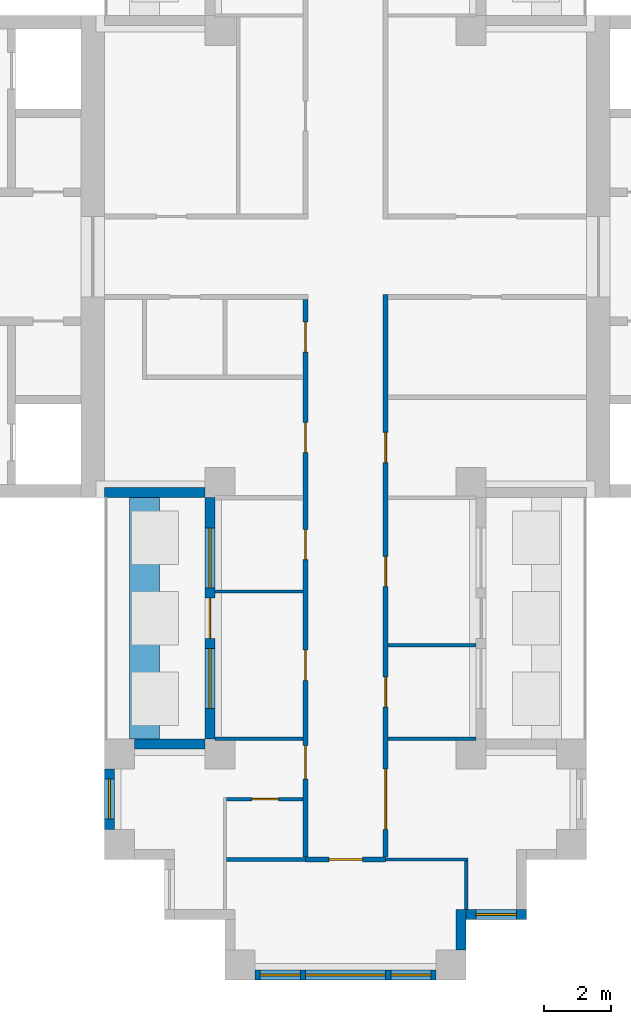
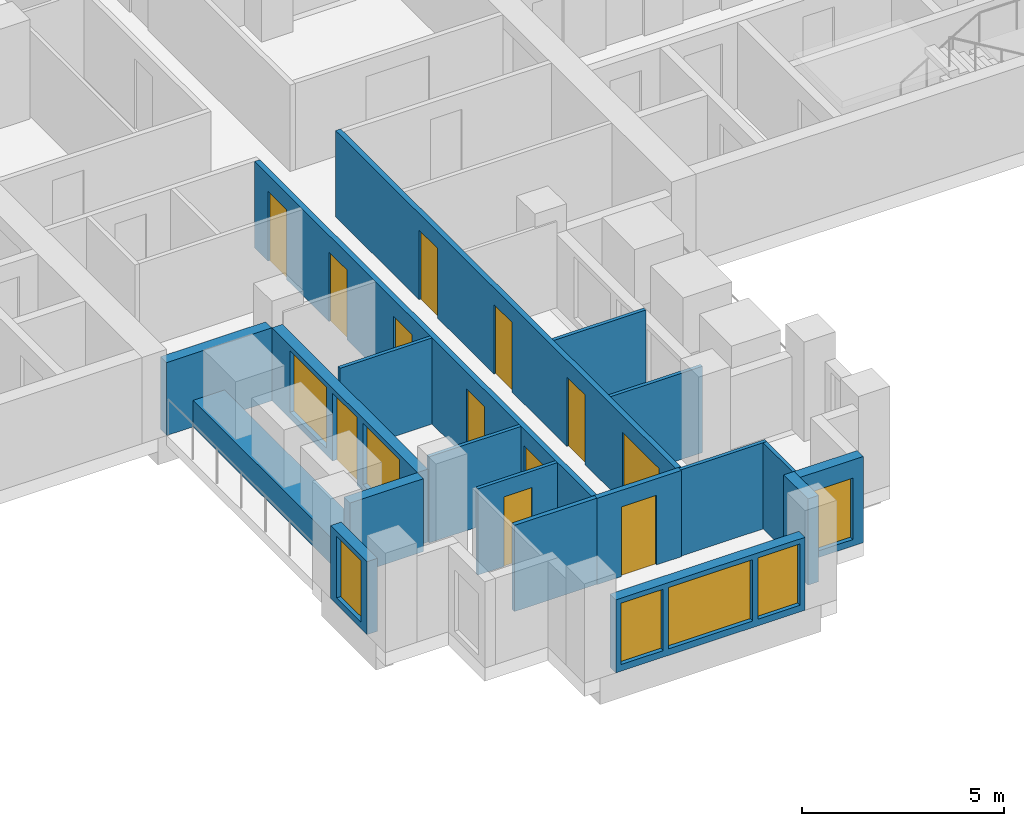
# One storey, part 4 of 11: 19 walls, 12 doors, 7 windows, 19 openings.
"""IFC4 building model written with IfcOpenShell, lengths in metres."""

from ifc_helpers import new_model, si_unit, direction, frame, frame_2d, origin, place, context, subcontext, project, spatial, rectangle, extrude, material, layer, layer_set, type_object, element, fill, save


model = new_model("IFC4")

# Units and contexts
model_context = context("Model", 3, precision=1e-05, world=origin(), true_north=direction((0.0, 1.0)))
body_context = subcontext(model_context, "Body", "Model", "MODEL_VIEW")
ifc_project = project(units=[si_unit("LENGTHUNIT", "METRE"), si_unit("AREAUNIT", "SQUARE_METRE"), si_unit("VOLUMEUNIT", "CUBIC_METRE"), si_unit("PLANEANGLEUNIT", "RADIAN"), si_unit("MASSUNIT", "GRAM", prefix="KILO")], contexts=[model_context])

# Site, building, storey
site_placement = place(None, origin())
site = spatial("IfcSite", under=ifc_project, at=site_placement, CompositionType="ELEMENT")
building_placement = place(site_placement, origin())
building = spatial("IfcBuilding", under=site, at=building_placement, Name="Fustian Cross Tower", CompositionType="ELEMENT")
storey_placement = place(building_placement, frame((0.0, 0.0, 176.699951171875)))
storey = spatial("IfcBuildingStorey", under=building, at=storey_placement, Name="L55", CompositionType="ELEMENT", Elevation=176.699951171875)

# Wall, openings, doors
ifc_material_1 = material(Name="Plasterboard on steel stud", Category="steel")
ifc_layer_1 = layer(ifc_material_1, 0.14990234375)
ifc_layer_set_1 = layer_set([ifc_layer_1], Name="Plasterboard on steel stud")
wall_type_1 = type_object("IfcWallType", Name="COMPARTMENT WALL 150 EI 60", PredefinedType="PARTITIONING", material=ifc_layer_set_1)
wall_1_placement = place(storey_placement, frame((-1.199951171875, -17.925048828125, 0.0), z_axis=(0.0, 0.0, 1.0), x_axis=(0.0, 1.0, 0.0)))
wall_1 = element("IfcWall", 1, at=wall_1_placement, inside=storey, type_object=wall_type_1, Name="Partition 30", PredefinedType="PARTITIONING", context=body_context, shape_type="SweptSolid", body=[
    extrude(rectangle(XDim=16.650146484375, YDim=0.14990234375, at=frame_2d((8.3251953125, 0.0))), origin(), (0.0, 0.0, 1.0), 2.60009765625),
])
opening_1_placement = place(wall_1_placement, frame((15.074951171875, 0.0, 0.0)))
opening_1 = element("IfcOpeningElement", 2, at=opening_1_placement, cuts=wall_1, Name="Opening D25006", PredefinedType="OPENING", context=body_context, shape_type="SweptSolid", body=[
    extrude(rectangle(XDim=0.89990234375, YDim=2.10009765625, at=frame_2d((0.449951171875, 1.050048828125))), frame((0.0, 0.0849609375, 0.0), z_axis=(0.0, -1.0, 0.0), x_axis=(1.0, 0.0, 0.0)), (0.0, 0.0, 1.0), 0.169921875),
])
opening_2_placement = place(wall_1_placement, frame((12.074951171875, 0.0, 0.0)))
opening_2 = element("IfcOpeningElement", 3, at=opening_2_placement, cuts=wall_1, Name="Opening D25008", PredefinedType="OPENING", context=body_context, shape_type="SweptSolid", body=[
    extrude(rectangle(XDim=0.89990234375, YDim=2.10009765625, at=frame_2d((0.449951171875, 1.050048828125))), frame((0.0, 0.0849609375, 0.0), z_axis=(0.0, -1.0, 0.0), x_axis=(1.0, 0.0, 0.0)), (0.0, 0.0, 1.0), 0.169921875),
])
opening_3_placement = place(wall_1_placement, frame((8.875, 0.0, 0.0)))
opening_3 = element("IfcOpeningElement", 4, at=opening_3_placement, cuts=wall_1, Name="Opening D25035", PredefinedType="OPENING", context=body_context, shape_type="SweptSolid", body=[
    extrude(rectangle(XDim=0.89990234375, YDim=2.10009765625, at=frame_2d((0.449951171875, 1.050048828125))), frame((0.0, 0.0849609375, 0.0), z_axis=(0.0, -1.0, 0.0), x_axis=(1.0, 0.0, 0.0)), (0.0, 0.0, 1.0), 0.169921875),
])
opening_4_placement = place(wall_1_placement, frame((5.27490234375, 0.0, 0.0)))
opening_4 = element("IfcOpeningElement", 5, at=opening_4_placement, cuts=wall_1, Name="Opening D25036", PredefinedType="OPENING", context=body_context, shape_type="SweptSolid", body=[
    extrude(rectangle(XDim=0.89990234375, YDim=2.10009765625, at=frame_2d((0.449951171875, 1.050048828125))), frame((0.0, 0.0849609375, 0.0), z_axis=(0.0, -1.0, 0.0), x_axis=(1.0, 0.0, 0.0)), (0.0, 0.0, 1.0), 0.169921875),
])
opening_5_placement = place(wall_1_placement, frame((2.324951171875, 0.0, 0.0)))
opening_5 = element("IfcOpeningElement", 6, at=opening_5_placement, cuts=wall_1, Name="Opening D25038", PredefinedType="OPENING", context=body_context, shape_type="SweptSolid", body=[
    extrude(rectangle(XDim=1.0, YDim=2.10009765625, at=frame_2d((0.5, 1.050048828125))), frame((0.0, 0.0849609375, 0.0), z_axis=(0.0, -1.0, 0.0), x_axis=(1.0, 0.0, 0.0)), (0.0, 0.0, 1.0), 0.169921875),
])
ifc_material_2 = material(Name="Timber fire door set", Category="wood")
door_type_1 = type_object("IfcDoorType", Name="FIRE SWING DOOR 1000 FD30S", OperationType="SINGLE_SWING_LEFT", PredefinedType="DOOR", material=ifc_material_2)
door_1_placement = place(opening_5_placement, origin())
door_1 = element("IfcDoor", 7, at=door_1_placement, inside=storey, type_object=door_type_1, Name="Door D25038", OperationType="SINGLE_SWING_RIGHT", OverallHeight=2.10009765625, OverallWidth=1.0, PredefinedType="DOOR", context=body_context, shape_type="SweptSolid", body=[
    extrude(rectangle(XDim=1.0, YDim=2.10009765625, at=frame_2d((0.5, 1.050048828125))), frame((0.0, 0.02490234375, 0.0), z_axis=(0.0, -1.0, 0.0), x_axis=(1.0, 0.0, 0.0)), (0.0, 0.0, 1.0), 0.050048828125),
])
fill(opening_5, door_1)
ifc_material_3 = material(Name="Timber fire door set", Category="wood")
door_type_2 = type_object("IfcDoorType", Name="FIRE SWING DOOR 900 FD30S", OperationType="SINGLE_SWING_LEFT", PredefinedType="DOOR", material=ifc_material_3)
door_2_placement = place(opening_1_placement, origin())
door_2 = element("IfcDoor", 8, at=door_2_placement, inside=storey, type_object=door_type_2, Name="Door D25006", OperationType="SINGLE_SWING_LEFT", OverallHeight=2.10009765625, OverallWidth=0.89990234375, PredefinedType="DOOR", context=body_context, shape_type="SweptSolid", body=[
    extrude(rectangle(XDim=0.89990234375, YDim=2.10009765625, at=frame_2d((0.449951171875, 1.050048828125))), frame((0.0, 0.02490234375, 0.0), z_axis=(0.0, -1.0, 0.0), x_axis=(1.0, 0.0, 0.0)), (0.0, 0.0, 1.0), 0.050048828125),
])
fill(opening_1, door_2)
door_3_placement = place(opening_2_placement, origin())
door_3 = element("IfcDoor", 9, at=door_3_placement, inside=storey, type_object=door_type_2, Name="Door D25008", OperationType="SINGLE_SWING_LEFT", OverallHeight=2.10009765625, OverallWidth=0.89990234375, PredefinedType="DOOR", context=body_context, shape_type="SweptSolid", body=[
    extrude(rectangle(XDim=0.89990234375, YDim=2.10009765625, at=frame_2d((0.449951171875, 1.050048828125))), frame((0.0, 0.02490234375, 0.0), z_axis=(0.0, -1.0, 0.0), x_axis=(1.0, 0.0, 0.0)), (0.0, 0.0, 1.0), 0.050048828125),
])
fill(opening_2, door_3)
door_4_placement = place(opening_3_placement, origin())
door_4 = element("IfcDoor", 10, at=door_4_placement, inside=storey, type_object=door_type_2, Name="Door D25035", OperationType="SINGLE_SWING_LEFT", OverallHeight=2.10009765625, OverallWidth=0.89990234375, PredefinedType="DOOR", context=body_context, shape_type="SweptSolid", body=[
    extrude(rectangle(XDim=0.89990234375, YDim=2.10009765625, at=frame_2d((0.449951171875, 1.050048828125))), frame((0.0, 0.02490234375, 0.0), z_axis=(0.0, -1.0, 0.0), x_axis=(1.0, 0.0, 0.0)), (0.0, 0.0, 1.0), 0.050048828125),
])
fill(opening_3, door_4)
door_5_placement = place(opening_4_placement, origin())
door_5 = element("IfcDoor", 11, at=door_5_placement, inside=storey, type_object=door_type_2, Name="Door D25036", OperationType="SINGLE_SWING_LEFT", OverallHeight=2.10009765625, OverallWidth=0.89990234375, PredefinedType="DOOR", context=body_context, shape_type="SweptSolid", body=[
    extrude(rectangle(XDim=0.89990234375, YDim=2.10009765625, at=frame_2d((0.449951171875, 1.050048828125))), frame((0.0, 0.02490234375, 0.0), z_axis=(0.0, -1.0, 0.0), x_axis=(1.0, 0.0, 0.0)), (0.0, 0.0, 1.0), 0.050048828125),
])
fill(opening_4, door_5)

# Wall, opening, door
wall_2_placement = place(storey_placement, frame((-1.199951171875, -18.0, 0.0), z_axis=(0.0, 0.0, 1.0), x_axis=(1.0, 0.0, 0.0)))
wall_2 = element("IfcWall", 12, at=wall_2_placement, inside=storey, type_object=wall_type_1, Name="Partition 31", PredefinedType="PARTITIONING", context=body_context, shape_type="SweptSolid", body=[
    extrude(rectangle(XDim=2.39990234375, YDim=0.14990234375, at=frame_2d((1.199951171875, 0.0))), origin(), (0.0, 0.0, 1.0), 2.60009765625),
])
opening_6_placement = place(wall_2_placement, frame((0.699951171875, 0.0, 0.0)))
opening_6 = element("IfcOpeningElement", 13, at=opening_6_placement, cuts=wall_2, Name="Opening D25031", PredefinedType="OPENING", context=body_context, shape_type="SweptSolid", body=[
    extrude(rectangle(XDim=1.0, YDim=2.10009765625, at=frame_2d((0.5, 1.050048828125))), frame((0.0, 0.0849609375, 0.0), z_axis=(0.0, -1.0, 0.0), x_axis=(1.0, 0.0, 0.0)), (0.0, 0.0, 1.0), 0.169921875),
])
door_6_placement = place(opening_6_placement, frame((1.0, 0.0, 0.0), z_axis=(0.0, 0.0, 1.0), x_axis=(-1.0, 0.0, 0.0)))
door_6 = element("IfcDoor", 14, at=door_6_placement, inside=storey, type_object=door_type_1, Name="Door D25031", OperationType="SINGLE_SWING_RIGHT", OverallHeight=2.10009765625, OverallWidth=1.0, PredefinedType="DOOR", context=body_context, shape_type="SweptSolid", body=[
    extrude(rectangle(XDim=1.0, YDim=2.10009765625, at=frame_2d((0.5, 1.050048828125))), frame((0.0, 0.02490234375, 0.0), z_axis=(0.0, -1.0, 0.0), x_axis=(1.0, 0.0, 0.0)), (0.0, 0.0, 1.0), 0.050048828125),
])
fill(opening_6, door_6)

# Wall, openings, doors
wall_3_placement = place(storey_placement, frame((1.199951171875, -17.925048828125, 0.0), z_axis=(0.0, 0.0, 1.0), x_axis=(0.0, 1.0, 0.0)))
wall_3 = element("IfcWall", 15, at=wall_3_placement, inside=storey, type_object=wall_type_1, Name="Partition 34", PredefinedType="PARTITIONING", context=body_context, shape_type="SweptSolid", body=[
    extrude(rectangle(XDim=16.800048828125, YDim=0.14990234375, at=frame_2d((8.39990234375, 0.0))), origin(), (0.0, 0.0, 1.0), 2.60009765625),
])
opening_7_placement = place(wall_3_placement, frame((11.77490234375, 0.0, 0.0)))
opening_7 = element("IfcOpeningElement", 16, at=opening_7_placement, cuts=wall_3, Name="Opening D25005", PredefinedType="OPENING", context=body_context, shape_type="SweptSolid", body=[
    extrude(rectangle(XDim=0.89990234375, YDim=2.10009765625, at=frame_2d((0.449951171875, 1.050048828125))), frame((0.0, 0.0849609375, 0.0), z_axis=(0.0, -1.0, 0.0), x_axis=(1.0, 0.0, 0.0)), (0.0, 0.0, 1.0), 0.169921875),
])
opening_8_placement = place(wall_3_placement, frame((4.47509765625, 0.0, 0.0)))
opening_8 = element("IfcOpeningElement", 17, at=opening_8_placement, cuts=wall_3, Name="Opening D25032", PredefinedType="OPENING", context=body_context, shape_type="SweptSolid", body=[
    extrude(rectangle(XDim=0.89990234375, YDim=2.10009765625, at=frame_2d((0.449951171875, 1.050048828125))), frame((0.0, 0.0849609375, 0.0), z_axis=(0.0, -1.0, 0.0), x_axis=(1.0, 0.0, 0.0)), (0.0, 0.0, 1.0), 0.169921875),
])
opening_9_placement = place(wall_3_placement, frame((8.074951171875, 0.0, 0.0)))
opening_9 = element("IfcOpeningElement", 18, at=opening_9_placement, cuts=wall_3, Name="Opening D25033", PredefinedType="OPENING", context=body_context, shape_type="SweptSolid", body=[
    extrude(rectangle(XDim=0.89990234375, YDim=2.10009765625, at=frame_2d((0.449951171875, 1.050048828125))), frame((0.0, 0.0849609375, 0.0), z_axis=(0.0, -1.0, 0.0), x_axis=(1.0, 0.0, 0.0)), (0.0, 0.0, 1.0), 0.169921875),
])
opening_10_placement = place(wall_3_placement, frame((0.824951171875, 0.0, 0.0)))
opening_10 = element("IfcOpeningElement", 19, at=opening_10_placement, cuts=wall_3, Name="Opening D25034", PredefinedType="OPENING", context=body_context, shape_type="SweptSolid", body=[
    extrude(rectangle(XDim=1.800048828125, YDim=2.10009765625, at=frame_2d((0.89990234375, 1.050048828125))), frame((0.0, 0.0849609375, 0.0), z_axis=(0.0, -1.0, 0.0), x_axis=(1.0, 0.0, 0.0)), (0.0, 0.0, 1.0), 0.169921875),
])
ifc_material_4 = material(Name="Timber fire door set", Category="wood")
door_type_3 = type_object("IfcDoorType", Name="FIRE DOUBLE DOOR 1800 FD30S", OperationType="DOUBLE_DOOR_DOUBLE_SWING", PredefinedType="DOOR", material=ifc_material_4)
door_7_placement = place(opening_10_placement, origin())
door_7 = element("IfcDoor", 20, at=door_7_placement, inside=storey, type_object=door_type_3, Name="Door D25034", OperationType="DOUBLE_DOOR_DOUBLE_SWING", OverallHeight=2.10009765625, OverallWidth=1.800048828125, PredefinedType="DOOR", context=body_context, shape_type="SweptSolid", body=[
    extrude(rectangle(XDim=1.800048828125, YDim=2.10009765625, at=frame_2d((0.89990234375, 1.050048828125))), frame((0.0, 0.02490234375, 0.0), z_axis=(0.0, -1.0, 0.0), x_axis=(1.0, 0.0, 0.0)), (0.0, 0.0, 1.0), 0.050048828125),
])
fill(opening_10, door_7)
door_8_placement = place(opening_7_placement, frame((0.89990234375, 0.0, 0.0), z_axis=(0.0, 0.0, 1.0), x_axis=(-1.0, 0.0, 0.0)))
door_8 = element("IfcDoor", 21, at=door_8_placement, inside=storey, type_object=door_type_2, Name="Door D25005", OperationType="SINGLE_SWING_LEFT", OverallHeight=2.10009765625, OverallWidth=0.89990234375, PredefinedType="DOOR", context=body_context, shape_type="SweptSolid", body=[
    extrude(rectangle(XDim=0.89990234375, YDim=2.10009765625, at=frame_2d((0.449951171875, 1.050048828125))), frame((0.0, 0.02490234375, 0.0), z_axis=(0.0, -1.0, 0.0), x_axis=(1.0, 0.0, 0.0)), (0.0, 0.0, 1.0), 0.050048828125),
])
fill(opening_7, door_8)
door_9_placement = place(opening_8_placement, frame((0.89990234375, 0.0, 0.0), z_axis=(0.0, 0.0, 1.0), x_axis=(-1.0, 0.0, 0.0)))
door_9 = element("IfcDoor", 22, at=door_9_placement, inside=storey, type_object=door_type_2, Name="Door D25032", OperationType="SINGLE_SWING_RIGHT", OverallHeight=2.10009765625, OverallWidth=0.89990234375, PredefinedType="DOOR", context=body_context, shape_type="SweptSolid", body=[
    extrude(rectangle(XDim=0.89990234375, YDim=2.10009765625, at=frame_2d((0.449951171875, 1.050048828125))), frame((0.0, 0.02490234375, 0.0), z_axis=(0.0, -1.0, 0.0), x_axis=(1.0, 0.0, 0.0)), (0.0, 0.0, 1.0), 0.050048828125),
])
fill(opening_8, door_9)
door_10_placement = place(opening_9_placement, frame((0.89990234375, 0.0, 0.0), z_axis=(0.0, 0.0, 1.0), x_axis=(-1.0, 0.0, 0.0)))
door_10 = element("IfcDoor", 23, at=door_10_placement, inside=storey, type_object=door_type_2, Name="Door D25033", OperationType="SINGLE_SWING_RIGHT", OverallHeight=2.10009765625, OverallWidth=0.89990234375, PredefinedType="DOOR", context=body_context, shape_type="SweptSolid", body=[
    extrude(rectangle(XDim=0.89990234375, YDim=2.10009765625, at=frame_2d((0.449951171875, 1.050048828125))), frame((0.0, 0.02490234375, 0.0), z_axis=(0.0, -1.0, 0.0), x_axis=(1.0, 0.0, 0.0)), (0.0, 0.0, 1.0), 0.050048828125),
])
fill(opening_9, door_10)

# Walls
ifc_material_5 = material(Name="Plasterboard on steel stud", Category="steel")
ifc_layer_2 = layer(ifc_material_5, 0.10009765625)
ifc_layer_set_2 = layer_set([ifc_layer_2], Name="Plasterboard on steel stud")
wall_type_2 = type_object("IfcWallType", Name="PARTITION 100 STUD", PredefinedType="PARTITIONING", material=ifc_layer_set_2)
for number, where, z_axis, x_axis, name in (
    (24, (-3.89990234375, -14.39990234375, 0.0), (0.0, 0.0, 1.0), (1.0, 0.0, 0.0), "Partition 17"),
    (25, (-3.89990234375, -10.0, 0.0), (0.0, 0.0, 1.0), (1.0, 0.0, 0.0), "Partition 18"),
):
    element("IfcWall", number, at=place(storey_placement, frame(where, z_axis=z_axis, x_axis=x_axis)), inside=storey, type_object=wall_type_2, Name=name, PredefinedType="PARTITIONING", context=body_context, shape_type="SweptSolid", body=[
        extrude(rectangle(XDim=2.625, YDim=0.10009765625, at=frame_2d((1.3125, 0.0))), origin(), (0.0, 0.0, 1.0), 2.60009765625),
    ])

# Wall, opening, door
wall_4_placement = place(storey_placement, frame((-3.550048828125, -16.199951171875, 0.0), z_axis=(0.0, 0.0, 1.0), x_axis=(1.0, 0.0, 0.0)))
wall_4 = element("IfcWall", 26, at=wall_4_placement, inside=storey, type_object=wall_type_2, Name="Partition 24", PredefinedType="PARTITIONING", context=body_context, shape_type="SweptSolid", body=[
    extrude(rectangle(XDim=2.275146484375, YDim=0.10009765625, at=frame_2d((1.1376953125, 0.0))), origin(), (0.0, 0.0, 1.0), 2.60009765625),
])
opening_11_placement = place(wall_4_placement, frame((0.75, 0.0, 0.0)))
opening_11 = element("IfcOpeningElement", 27, at=opening_11_placement, cuts=wall_4, Name="Opening D25037", PredefinedType="OPENING", context=body_context, shape_type="SweptSolid", body=[
    extrude(rectangle(XDim=0.800048828125, YDim=2.10009765625, at=frame_2d((0.39990234375, 1.050048828125))), frame((0.0, 0.06005859375, 0.0), z_axis=(0.0, -1.0, 0.0), x_axis=(1.0, 0.0, 0.0)), (0.0, 0.0, 1.0), 0.1201171875),
])
ifc_material_6 = material(Name="Painted timber", Category="wood")
door_type_4 = type_object("IfcDoorType", Name="SWING DOOR 800", OperationType="SINGLE_SWING_LEFT", PredefinedType="DOOR", material=ifc_material_6)
door_11_placement = place(opening_11_placement, frame((0.800048828125, 0.0, 0.0), z_axis=(0.0, 0.0, 1.0), x_axis=(-1.0, 0.0, 0.0)))
door_11 = element("IfcDoor", 28, at=door_11_placement, inside=storey, type_object=door_type_4, Name="Door D25037", OperationType="SINGLE_SWING_RIGHT", OverallHeight=2.10009765625, OverallWidth=0.800048828125, PredefinedType="DOOR", context=body_context, shape_type="SweptSolid", body=[
    extrude(rectangle(XDim=0.800048828125, YDim=2.10009765625, at=frame_2d((0.39990234375, 1.050048828125))), frame((0.0, 0.02490234375, 0.0), z_axis=(0.0, -1.0, 0.0), x_axis=(1.0, 0.0, 0.0)), (0.0, 0.0, 1.0), 0.050048828125),
])
fill(opening_11, door_11)

# Walls
wall_5_placement = place(storey_placement, frame((1.199951171875, -18.0, 0.0), z_axis=(0.0, 0.0, 1.0), x_axis=(1.0, 0.0, 0.0)))
element("IfcWall", 29, at=wall_5_placement, inside=storey, type_object=wall_type_2, Name="Partition 35", PredefinedType="PARTITIONING", context=body_context, shape_type="SweptSolid", body=[
    extrude(rectangle(XDim=2.449951171875, YDim=0.10009765625, at=frame_2d((1.22509765625, 0.0))), origin(), (0.0, 0.0, 1.0), 2.60009765625),
])
for number, where, z_axis, x_axis, name in (
    (30, (1.27490234375, -14.39990234375, 0.0), (0.0, 0.0, 1.0), (1.0, 0.0, 0.0), "Partition 36"),
    (31, (1.27490234375, -11.60009765625, 0.0), (0.0, 0.0, 1.0), (1.0, 0.0, 0.0), "Partition 37"),
):
    element("IfcWall", number, at=place(storey_placement, frame(where, z_axis=z_axis, x_axis=x_axis)), inside=storey, type_object=wall_type_2, Name=name, PredefinedType="PARTITIONING", context=body_context, shape_type="SweptSolid", body=[
        extrude(rectangle(XDim=2.625, YDim=0.10009765625, at=frame_2d((1.3125, 0.0))), origin(), (0.0, 0.0, 1.0), 2.60009765625),
    ])
wall_6_placement = place(storey_placement, frame((3.60009765625, -19.5, 0.0), z_axis=(0.0, 0.0, 1.0), x_axis=(0.0, 1.0, 0.0)))
element("IfcWall", 32, at=wall_6_placement, inside=storey, type_object=wall_type_2, Name="Partition 48", PredefinedType="PARTITIONING", context=body_context, shape_type="SweptSolid", body=[
    extrude(rectangle(XDim=1.449951171875, YDim=0.10009765625, at=frame_2d((0.72509765625, 0.0))), origin(), (0.0, 0.0, 1.0), 2.60009765625),
])
ifc_material_7 = material(Name="Concrete C40/50", Category="concrete")
ifc_layer_3 = layer(ifc_material_7, 0.89990234375)
ifc_layer_set_3 = layer_set([ifc_layer_3], Name="Concrete C40/50")
wall_type_3 = type_object("IfcWallType", Name="PK1 PLANTER 900", PredefinedType="PARAPET", material=ifc_layer_set_3)
wall_7_placement = place(storey_placement, frame((-6.0, -14.39990234375, 0.0), z_axis=(0.0, 0.0, 1.0), x_axis=(0.0, 1.0, 0.0)))
element("IfcWall", 33, at=wall_7_placement, inside=storey, type_object=wall_type_3, Name="PLANTER", PredefinedType="PARAPET", context=body_context, shape_type="SweptSolid", body=[
    extrude(rectangle(XDim=7.199951171875, YDim=0.89990234375, at=frame_2d((3.60009765625, 0.0))), origin(), (0.0, 0.0, 1.0), 0.800048828125),
])
ifc_material_8 = material(Name="Plasterboard on steel stud", Category="steel")
ifc_layer_4 = layer(ifc_material_8, 0.125)
ifc_layer_set_4 = layer_set([ifc_layer_4], Name="Plasterboard on steel stud")
wall_type_4 = type_object("IfcWallType", Name="WET WALL 125 STUD", PredefinedType="PARTITIONING", material=ifc_layer_set_4)
wall_8_placement = place(storey_placement, frame((-3.550048828125, -18.0, 0.0), z_axis=(0.0, 0.0, 1.0), x_axis=(1.0, 0.0, 0.0)))
element("IfcWall", 34, at=wall_8_placement, inside=storey, type_object=wall_type_4, Name="Partition 23", PredefinedType="PARTITIONING", context=body_context, shape_type="SweptSolid", body=[
    extrude(rectangle(XDim=2.35009765625, YDim=0.125, at=frame_2d((1.175048828125, 0.0))), origin(), (0.0, 0.0, 1.0), 2.60009765625),
])
ifc_material_9 = material(Name="Dark aluminium cladding on insulated backing wall", Category="aluminium")
ifc_layer_5 = layer(ifc_material_9, 0.300048828125)
ifc_layer_set_5 = layer_set([ifc_layer_5], Name="Dark aluminium cladding on insulated backing wall")
wall_type_5 = type_object("IfcWallType", Name="XW1 EXTERNAL WALL 300", PredefinedType="SOLIDWALL", material=ifc_layer_set_5)
wall_9_placement = place(storey_placement, frame((-7.199951171875, -7.050048828125, 0.0), z_axis=(0.0, 0.0, 1.0), x_axis=(1.0, 0.0, 0.0)))
element("IfcWall", 35, at=wall_9_placement, inside=storey, type_object=wall_type_5, Name="External wall", PredefinedType="SOLIDWALL", context=body_context, shape_type="SweptSolid", body=[
    extrude(rectangle(XDim=3.0, YDim=0.300048828125, at=frame_2d((1.5, 0.0))), origin(), (0.0, 0.0, 1.0), 2.199951171875),
])

# Wall, openings, door, windows
wall_10_placement = place(storey_placement, frame((-4.050048828125, -7.199951171875, 0.0), z_axis=(0.0, 0.0, 1.0), x_axis=(0.0, -1.0, 0.0)))
wall_10 = element("IfcWall", 36, at=wall_10_placement, inside=storey, type_object=wall_type_5, Name="External wall", PredefinedType="SOLIDWALL", context=body_context, shape_type="SweptSolid", body=[
    extrude(rectangle(XDim=7.199951171875, YDim=0.300048828125, at=frame_2d((3.60009765625, 0.0))), origin(), (0.0, 0.0, 1.0), 2.199951171875),
])
opening_12_placement = place(wall_10_placement, frame((3.0, 0.0, 0.0)))
opening_12 = element("IfcOpeningElement", 37, at=opening_12_placement, cuts=wall_10, Name="Opening XD4", PredefinedType="OPENING", context=body_context, shape_type="SweptSolid", body=[
    extrude(rectangle(XDim=1.199951171875, YDim=2.050048828125, at=frame_2d((0.60009765625, 1.02490234375))), frame((0.0, 0.159912109375, 0.0), z_axis=(0.0, -1.0, 0.0), x_axis=(1.0, 0.0, 0.0)), (0.0, 0.0, 1.0), 0.320068359375),
])
opening_13_placement = place(wall_10_placement, frame((0.89990234375, 0.0, 0.199951171875)))
opening_13 = element("IfcOpeningElement", 38, at=opening_13_placement, cuts=wall_10, Name="Opening WN2", PredefinedType="OPENING", context=body_context, shape_type="SweptSolid", body=[
    extrude(rectangle(XDim=1.800048828125, YDim=1.85009765625, at=frame_2d((0.89990234375, 0.925048828125))), frame((0.0, 0.159912109375, 0.0), z_axis=(0.0, -1.0, 0.0), x_axis=(1.0, 0.0, 0.0)), (0.0, 0.0, 1.0), 0.320068359375),
])
opening_14_placement = place(wall_10_placement, frame((4.5, 0.0, 0.199951171875)))
opening_14 = element("IfcOpeningElement", 39, at=opening_14_placement, cuts=wall_10, Name="Opening WN2", PredefinedType="OPENING", context=body_context, shape_type="SweptSolid", body=[
    extrude(rectangle(XDim=1.800048828125, YDim=1.85009765625, at=frame_2d((0.89990234375, 0.925048828125))), frame((0.0, 0.159912109375, 0.0), z_axis=(0.0, -1.0, 0.0), x_axis=(1.0, 0.0, 0.0)), (0.0, 0.0, 1.0), 0.320068359375),
])
ifc_material_10 = material(Name="Dark anodised aluminium and double glazing", Category="aluminium")
door_type_5 = type_object("IfcDoorType", Name="ED1 BALCONY DOOR 1200X2050", OperationType="SINGLE_SWING_LEFT", PredefinedType="DOOR", material=ifc_material_10)
door_12_placement = place(opening_12_placement, origin())
door_12 = element("IfcDoor", 40, at=door_12_placement, inside=storey, type_object=door_type_5, Name="Balcony door", OperationType="SINGLE_SWING_LEFT", OverallHeight=2.050048828125, OverallWidth=1.199951171875, PredefinedType="DOOR", context=body_context, shape_type="SweptSolid", body=[
    extrude(rectangle(XDim=1.199951171875, YDim=2.050048828125, at=frame_2d((0.60009765625, 1.02490234375))), frame((0.0, 0.02490234375, 0.0), z_axis=(0.0, -1.0, 0.0), x_axis=(1.0, 0.0, 0.0)), (0.0, 0.0, 1.0), 0.050048828125),
])
fill(opening_12, door_12)
ifc_material_11 = material(Name="Dark anodised aluminium and double glazing", Category="aluminium")
window_type_1 = type_object("IfcWindowType", Name="WN2 WINDOW 1800X1850", PartitioningType="SINGLE_PANEL", PredefinedType="WINDOW", material=ifc_material_11)
window_1_placement = place(opening_13_placement, origin())
window_1 = element("IfcWindow", 41, at=window_1_placement, inside=storey, type_object=window_type_1, Name="Window", OverallHeight=1.85009765625, OverallWidth=1.800048828125, PartitioningType="SINGLE_PANEL", PredefinedType="WINDOW", context=body_context, shape_type="SweptSolid", body=[
    extrude(rectangle(XDim=1.800048828125, YDim=1.85009765625, at=frame_2d((0.89990234375, 0.925048828125))), frame((0.0, 0.030029296875, 0.0), z_axis=(0.0, -1.0, 0.0), x_axis=(1.0, 0.0, 0.0)), (0.0, 0.0, 1.0), 0.06005859375),
])
fill(opening_13, window_1)
window_2_placement = place(opening_14_placement, origin())
window_2 = element("IfcWindow", 42, at=window_2_placement, inside=storey, type_object=window_type_1, Name="Window", OverallHeight=1.85009765625, OverallWidth=1.800048828125, PartitioningType="SINGLE_PANEL", PredefinedType="WINDOW", context=body_context, shape_type="SweptSolid", body=[
    extrude(rectangle(XDim=1.800048828125, YDim=1.85009765625, at=frame_2d((0.89990234375, 0.925048828125))), frame((0.0, 0.030029296875, 0.0), z_axis=(0.0, -1.0, 0.0), x_axis=(1.0, 0.0, 0.0)), (0.0, 0.0, 1.0), 0.06005859375),
])
fill(opening_14, window_2)

# Wall
wall_11_placement = place(storey_placement, frame((-4.199951171875, -14.550048828125, 0.0), z_axis=(0.0, 0.0, 1.0), x_axis=(-1.0, 0.0, 0.0)))
element("IfcWall", 43, at=wall_11_placement, inside=storey, type_object=wall_type_5, Name="External wall", PredefinedType="SOLIDWALL", context=body_context, shape_type="SweptSolid", body=[
    extrude(rectangle(XDim=2.10009765625, YDim=0.300048828125, at=frame_2d((1.050048828125, 0.0))), origin(), (0.0, 0.0, 1.0), 2.199951171875),
])

# Wall, opening, window
wall_12_placement = place(storey_placement, frame((-7.050048828125, -15.300048828125, 0.0), z_axis=(0.0, 0.0, 1.0), x_axis=(0.0, -1.0, 0.0)))
wall_12 = element("IfcWall", 44, at=wall_12_placement, inside=storey, type_object=wall_type_5, Name="External wall", PredefinedType="SOLIDWALL", context=body_context, shape_type="SweptSolid", body=[
    extrude(rectangle(XDim=1.800048828125, YDim=0.300048828125, at=frame_2d((0.89990234375, 0.0))), origin(), (0.0, 0.0, 1.0), 2.199951171875),
])
opening_15_placement = place(wall_12_placement, frame((0.300048828125, 0.0, 0.199951171875)))
opening_15 = element("IfcOpeningElement", 45, at=opening_15_placement, cuts=wall_12, Name="Opening WN3", PredefinedType="OPENING", context=body_context, shape_type="SweptSolid", body=[
    extrude(rectangle(XDim=1.199951171875, YDim=1.85009765625, at=frame_2d((0.60009765625, 0.925048828125))), frame((0.0, 0.159912109375, 0.0), z_axis=(0.0, -1.0, 0.0), x_axis=(1.0, 0.0, 0.0)), (0.0, 0.0, 1.0), 0.320068359375),
])
ifc_material_12 = material(Name="Dark anodised aluminium and double glazing", Category="aluminium")
window_type_2 = type_object("IfcWindowType", Name="WN3 WINDOW 1200X1850", PartitioningType="SINGLE_PANEL", PredefinedType="WINDOW", material=ifc_material_12)
window_3_placement = place(opening_15_placement, origin())
window_3 = element("IfcWindow", 46, at=window_3_placement, inside=storey, type_object=window_type_2, Name="Window", OverallHeight=1.85009765625, OverallWidth=1.199951171875, PartitioningType="SINGLE_PANEL", PredefinedType="WINDOW", context=body_context, shape_type="SweptSolid", body=[
    extrude(rectangle(XDim=1.199951171875, YDim=1.85009765625, at=frame_2d((0.60009765625, 0.925048828125))), frame((0.0, 0.030029296875, 0.0), z_axis=(0.0, -1.0, 0.0), x_axis=(1.0, 0.0, 0.0)), (0.0, 0.0, 1.0), 0.06005859375),
])
fill(opening_15, window_3)

# Wall, openings, windows
wall_13_placement = place(storey_placement, frame((-2.699951171875, -21.449951171875, 0.0), z_axis=(0.0, 0.0, 1.0), x_axis=(1.0, 0.0, 0.0)))
wall_13 = element("IfcWall", 47, at=wall_13_placement, inside=storey, type_object=wall_type_5, Name="External wall", PredefinedType="SOLIDWALL", context=body_context, shape_type="SweptSolid", body=[
    extrude(rectangle(XDim=5.39990234375, YDim=0.300048828125, at=frame_2d((2.699951171875, 0.0))), origin(), (0.0, 0.0, 1.0), 2.199951171875),
])
opening_16_placement = place(wall_13_placement, frame((1.5, 0.0, 0.199951171875)))
opening_16 = element("IfcOpeningElement", 48, at=opening_16_placement, cuts=wall_13, Name="Opening WN1", PredefinedType="OPENING", context=body_context, shape_type="SweptSolid", body=[
    extrude(rectangle(XDim=2.39990234375, YDim=1.85009765625, at=frame_2d((1.199951171875, 0.925048828125))), frame((0.0, 0.159912109375, 0.0), z_axis=(0.0, -1.0, 0.0), x_axis=(1.0, 0.0, 0.0)), (0.0, 0.0, 1.0), 0.320068359375),
])
opening_17_placement = place(wall_13_placement, frame((0.14990234375, 0.0, 0.199951171875)))
opening_17 = element("IfcOpeningElement", 49, at=opening_17_placement, cuts=wall_13, Name="Opening WN3", PredefinedType="OPENING", context=body_context, shape_type="SweptSolid", body=[
    extrude(rectangle(XDim=1.199951171875, YDim=1.85009765625, at=frame_2d((0.60009765625, 0.925048828125))), frame((0.0, 0.159912109375, 0.0), z_axis=(0.0, -1.0, 0.0), x_axis=(1.0, 0.0, 0.0)), (0.0, 0.0, 1.0), 0.320068359375),
])
opening_18_placement = place(wall_13_placement, frame((4.050048828125, 0.0, 0.199951171875)))
opening_18 = element("IfcOpeningElement", 50, at=opening_18_placement, cuts=wall_13, Name="Opening WN3", PredefinedType="OPENING", context=body_context, shape_type="SweptSolid", body=[
    extrude(rectangle(XDim=1.199951171875, YDim=1.85009765625, at=frame_2d((0.60009765625, 0.925048828125))), frame((0.0, 0.159912109375, 0.0), z_axis=(0.0, -1.0, 0.0), x_axis=(1.0, 0.0, 0.0)), (0.0, 0.0, 1.0), 0.320068359375),
])
ifc_material_13 = material(Name="Dark anodised aluminium and double glazing", Category="aluminium")
window_type_3 = type_object("IfcWindowType", Name="WN1 WINDOW 2400X1850", PartitioningType="SINGLE_PANEL", PredefinedType="WINDOW", material=ifc_material_13)
window_4_placement = place(opening_16_placement, origin())
window_4 = element("IfcWindow", 51, at=window_4_placement, inside=storey, type_object=window_type_3, Name="Window", OverallHeight=1.85009765625, OverallWidth=2.39990234375, PartitioningType="SINGLE_PANEL", PredefinedType="WINDOW", context=body_context, shape_type="SweptSolid", body=[
    extrude(rectangle(XDim=2.39990234375, YDim=1.85009765625, at=frame_2d((1.199951171875, 0.925048828125))), frame((0.0, 0.030029296875, 0.0), z_axis=(0.0, -1.0, 0.0), x_axis=(1.0, 0.0, 0.0)), (0.0, 0.0, 1.0), 0.06005859375),
])
fill(opening_16, window_4)
window_5_placement = place(opening_17_placement, origin())
window_5 = element("IfcWindow", 52, at=window_5_placement, inside=storey, type_object=window_type_2, Name="Window", OverallHeight=1.85009765625, OverallWidth=1.199951171875, PartitioningType="SINGLE_PANEL", PredefinedType="WINDOW", context=body_context, shape_type="SweptSolid", body=[
    extrude(rectangle(XDim=1.199951171875, YDim=1.85009765625, at=frame_2d((0.60009765625, 0.925048828125))), frame((0.0, 0.030029296875, 0.0), z_axis=(0.0, -1.0, 0.0), x_axis=(1.0, 0.0, 0.0)), (0.0, 0.0, 1.0), 0.06005859375),
])
fill(opening_17, window_5)
window_6_placement = place(opening_18_placement, origin())
window_6 = element("IfcWindow", 53, at=window_6_placement, inside=storey, type_object=window_type_2, Name="Window", OverallHeight=1.85009765625, OverallWidth=1.199951171875, PartitioningType="SINGLE_PANEL", PredefinedType="WINDOW", context=body_context, shape_type="SweptSolid", body=[
    extrude(rectangle(XDim=1.199951171875, YDim=1.85009765625, at=frame_2d((0.60009765625, 0.925048828125))), frame((0.0, 0.030029296875, 0.0), z_axis=(0.0, -1.0, 0.0), x_axis=(1.0, 0.0, 0.0)), (0.0, 0.0, 1.0), 0.06005859375),
])
fill(opening_18, window_6)

# Wall
wall_14_placement = place(storey_placement, frame((3.449951171875, -20.699951171875, 0.0), z_axis=(0.0, 0.0, 1.0), x_axis=(0.0, 1.0, 0.0)))
element("IfcWall", 54, at=wall_14_placement, inside=storey, type_object=wall_type_5, Name="External wall", PredefinedType="SOLIDWALL", context=body_context, shape_type="SweptSolid", body=[
    extrude(rectangle(XDim=1.199951171875, YDim=0.300048828125, at=frame_2d((0.60009765625, 0.0))), origin(), (0.0, 0.0, 1.0), 2.60009765625),
])

# Wall, opening, window
wall_15_placement = place(storey_placement, frame((3.60009765625, -19.64990234375, 0.0), z_axis=(0.0, 0.0, 1.0), x_axis=(1.0, 0.0, 0.0)))
wall_15 = element("IfcWall", 55, at=wall_15_placement, inside=storey, type_object=wall_type_5, Name="External wall", PredefinedType="SOLIDWALL", context=body_context, shape_type="SweptSolid", body=[
    extrude(rectangle(XDim=1.7998046875, YDim=0.300048828125, at=frame_2d((0.89990234375, 0.0))), origin(), (0.0, 0.0, 1.0), 2.60009765625),
])
opening_19_placement = place(wall_15_placement, frame((0.300048828125, 0.0, 0.199951171875)))
opening_19 = element("IfcOpeningElement", 56, at=opening_19_placement, cuts=wall_15, Name="Opening WN3", PredefinedType="OPENING", context=body_context, shape_type="SweptSolid", body=[
    extrude(rectangle(XDim=1.199951171875, YDim=1.85009765625, at=frame_2d((0.60009765625, 0.925048828125))), frame((0.0, 0.159912109375, 0.0), z_axis=(0.0, -1.0, 0.0), x_axis=(1.0, 0.0, 0.0)), (0.0, 0.0, 1.0), 0.320068359375),
])
window_7_placement = place(opening_19_placement, origin())
window_7 = element("IfcWindow", 57, at=window_7_placement, inside=storey, type_object=window_type_2, Name="Window", OverallHeight=1.85009765625, OverallWidth=1.199951171875, PartitioningType="SINGLE_PANEL", PredefinedType="WINDOW", context=body_context, shape_type="SweptSolid", body=[
    extrude(rectangle(XDim=1.199951171875, YDim=1.85009765625, at=frame_2d((0.60009765625, 0.925048828125))), frame((0.0, 0.030029296875, 0.0), z_axis=(0.0, -1.0, 0.0), x_axis=(1.0, 0.0, 0.0)), (0.0, 0.0, 1.0), 0.06005859375),
])
fill(opening_19, window_7)

save(model, "model.ifc")
